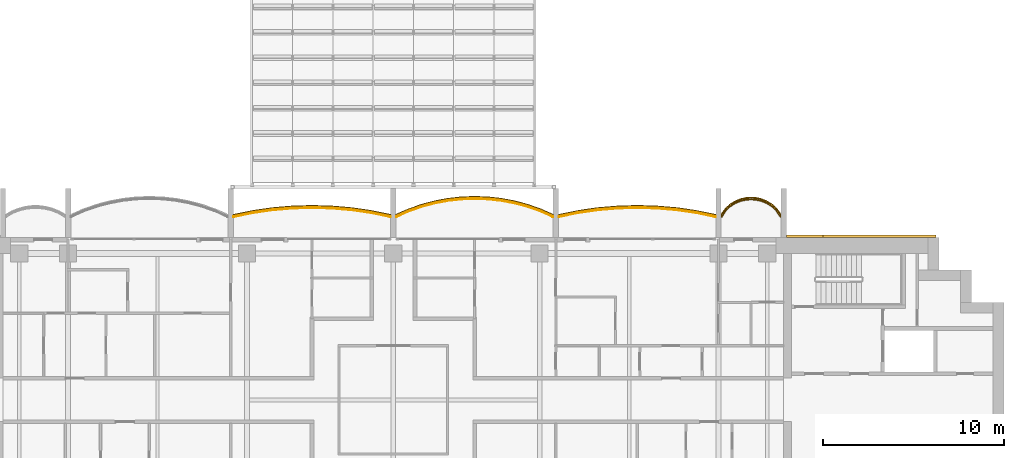
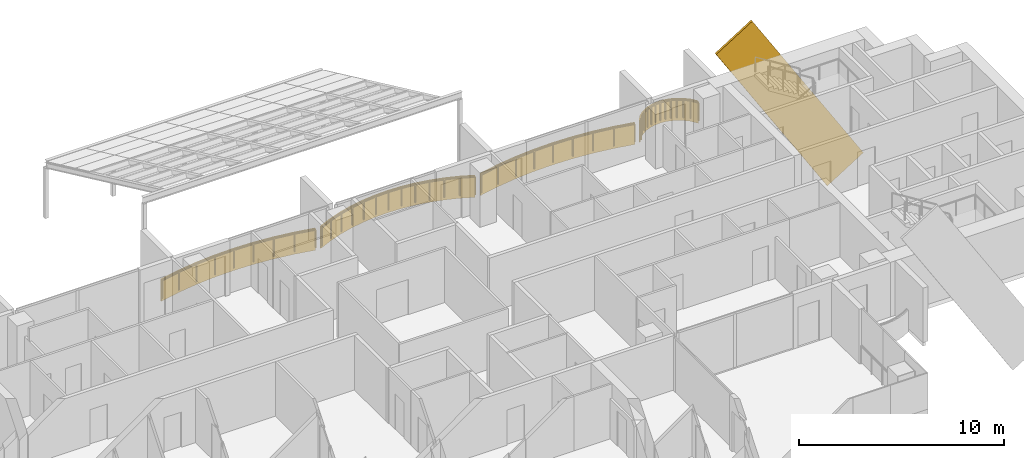
# One storey, part 20 of 20: 5 coverings, 4 railings.
"""IFC4 building model written with IfcOpenShell, lengths in metres."""

from ifc_helpers import new_model, si_unit, direction, frame, origin, origin_2d, place, context, subcontext, project, spatial, polyline, rectangle, outline, extrude, material, layer, layer_set, material_profile, profile_set, type_object, element, save


model = new_model("IFC4")

# Units and contexts
model_context = context("Model", 3, precision=1e-05, world=origin(), true_north=direction((0.0, 1.0)))
body_context = subcontext(model_context, "Body", "Model", "MODEL_VIEW")
ifc_project = project(units=[si_unit("LENGTHUNIT", "METRE"), si_unit("AREAUNIT", "SQUARE_METRE"), si_unit("VOLUMEUNIT", "CUBIC_METRE"), si_unit("PLANEANGLEUNIT", "RADIAN"), si_unit("MASSUNIT", "GRAM", prefix="KILO")], contexts=[model_context])

# Site, building, storey
site_placement = place(None, origin())
site = spatial("IfcSite", under=ifc_project, at=site_placement, CompositionType="ELEMENT")
building_placement = place(site_placement, origin())
building = spatial("IfcBuilding", under=site, at=building_placement, Name="Perihelion Cross Residences", CompositionType="ELEMENT")
storey_placement = place(building_placement, frame((0.0, 0.0, 170.10009765625)))
storey = spatial("IfcBuildingStorey", under=building, at=storey_placement, Name="L41", CompositionType="ELEMENT", Elevation=170.10009765625)

# Coverings
ifc_material_1 = material(Name="Bronze anodised aluminium", Category="aluminium")
ifc_layer = layer(ifc_material_1, 0.070068359375)
ifc_layer_set = layer_set([ifc_layer], Name="Balcony fascia 1300")
covering_type_1 = type_object("IfcCoveringType", Name="Balcony fascia 1300", PredefinedType="CLADDING", material=ifc_layer_set)
covering_1_placement = place(storey_placement, frame((0.0, 0.0, -0.2001953125)))
element("IfcCovering", 1, at=covering_1_placement, inside=storey, type_object=covering_type_1, Name="Fascia BF1 L41 east side north bay 1", PredefinedType="CLADDING", context=body_context, shape_type="SweptSolid", body=[
    extrude(outline(polyline([(21.226318359375, 10.616455078125), (20.94091796875, 10.86328125), (20.655517578125, 11.031494140625), (20.370361328125, 11.142578125), (20.085205078125, 11.206298828125), (19.800048828125, 11.22705078125), (19.514892578125, 11.206298828125), (19.229736328125, 11.142578125), (18.9443359375, 11.031494140625), (18.6591796875, 10.86328125), (18.373779296875, 10.616455078125), (18.14990234375, 10.31689453125), (18.14990234375, 10.199951171875), (18.425048828125, 10.568603515625), (18.699951171875, 10.806396484375), (18.97509765625, 10.96875), (19.25, 11.07568359375), (19.52490234375, 11.136962890625), (19.800048828125, 11.156982421875), (20.074951171875, 11.136962890625), (20.35009765625, 11.07568359375), (20.625, 10.96875), (20.89990234375, 10.806396484375), (21.175048828125, 10.568603515625), (21.449951171875, 10.199951171875), (21.449951171875, 10.31689453125), (21.226318359375, 10.616455078125)])), origin(), (0.0, 0.0, 1.0), 1.300048828125),
])
covering_2_placement = place(storey_placement, frame((0.0, 0.0, -0.2001953125)))
element("IfcCovering", 2, at=covering_2_placement, inside=storey, type_object=covering_type_1, Name="Fascia BF1 L41 east side north bay 2", PredefinedType="CLADDING", context=body_context, shape_type="SweptSolid", body=[
    extrude(outline(polyline([(16.7744140625, 10.4892578125), (15.682861328125, 10.645751953125), (14.591552734375, 10.739013671875), (13.5, 10.77001953125), (12.408447265625, 10.739013671875), (11.317138671875, 10.645751953125), (10.2255859375, 10.4892578125), (9.14990234375, 10.271484375), (9.14990234375, 10.199951171875), (10.237548828125, 10.42041015625), (11.324951171875, 10.576171875), (12.41259765625, 10.669189453125), (13.5, 10.699951171875), (14.58740234375, 10.669189453125), (15.675048828125, 10.576171875), (16.762451171875, 10.42041015625), (17.85009765625, 10.199951171875), (17.85009765625, 10.271484375), (16.7744140625, 10.4892578125)])), origin(), (0.0, 0.0, 1.0), 1.300048828125),
])
covering_3_placement = place(storey_placement, frame((0.0, 0.0, -0.2001953125)))
element("IfcCovering", 3, at=covering_3_placement, inside=storey, type_object=covering_type_1, Name="Fascia BF1 L41 north side east bay 1", PredefinedType="CLADDING", context=body_context, shape_type="SweptSolid", body=[
    extrude(outline(polyline([(8.150634765625, 10.582275390625), (7.42041015625, 10.83544921875), (6.690185546875, 11.028076171875), (5.960205078125, 11.1630859375), (5.22998046875, 11.243408203125), (4.5, 11.27001953125), (3.77001953125, 11.243408203125), (3.039794921875, 11.1630859375), (2.309814453125, 11.028076171875), (1.57958984375, 10.83544921875), (0.849365234375, 10.582275390625), (0.14990234375, 10.2763671875), (0.14990234375, 10.199951171875), (0.875, 10.51708984375), (1.60009765625, 10.7685546875), (2.324951171875, 10.959716796875), (3.050048828125, 11.093994140625), (3.77490234375, 11.173583984375), (4.5, 11.199951171875), (5.22509765625, 11.173583984375), (5.949951171875, 11.093994140625), (6.675048828125, 10.959716796875), (7.39990234375, 10.7685546875), (8.125, 10.51708984375), (8.85009765625, 10.199951171875), (8.85009765625, 10.2763671875), (8.150634765625, 10.582275390625)])), origin(), (0.0, 0.0, 1.0), 1.300048828125),
])
covering_4_placement = place(storey_placement, frame((0.0, 0.0, -0.2001953125)))
element("IfcCovering", 4, at=covering_4_placement, inside=storey, type_object=covering_type_1, Name="Fascia BF1 L41 north side east bay 2", PredefinedType="CLADDING", context=body_context, shape_type="SweptSolid", body=[
    extrude(outline(polyline([(-1.2255859375, 10.4892578125), (-2.317138671875, 10.645751953125), (-3.408447265625, 10.739013671875), (-4.5, 10.77001953125), (-5.591552734375, 10.739013671875), (-6.682861328125, 10.645751953125), (-7.7744140625, 10.4892578125), (-8.85009765625, 10.271484375), (-8.85009765625, 10.199951171875), (-7.762451171875, 10.42041015625), (-6.675048828125, 10.576171875), (-5.58740234375, 10.669189453125), (-4.5, 10.699951171875), (-3.41259765625, 10.669189453125), (-2.324951171875, 10.576171875), (-1.237548828125, 10.42041015625), (-0.14990234375, 10.199951171875), (-0.14990234375, 10.271484375), (-1.2255859375, 10.4892578125)])), origin(), (0.0, 0.0, 1.0), 1.300048828125),
])

# Railings
ifc_material_2 = material(Name="Bronze anodised aluminium", Category="aluminium")
railing_type = type_object("IfcRailingType", Name="Balcony guard 1100", PredefinedType="GUARDRAIL", material=ifc_material_2)
railing_1_placement = place(storey_placement, frame((21.425048828125, 10.139892578125, 0.0)))
element("IfcRailing", 5, at=railing_1_placement, inside=storey, type_object=railing_type, Name="Guard GU1 L41 east side north bay 1 balcony", PredefinedType="GUARDRAIL", context=body_context, shape_type="SweptSolid", body=[
    extrude(rectangle(XDim=0.048095703125, YDim=0.048095703125, at=origin_2d()), frame((0.0, 0.0, 1.076171875), z_axis=(-0.561260132269, 0.827639452857, 0.0), x_axis=(-0.827639452857, -0.561260132269, 0.0)), (0.0, 0.0, 1.0), 0.4453125),
    extrude(rectangle(XDim=0.048095703125, YDim=0.048095703125, at=origin_2d()), frame((-0.25, 0.36865234375, 1.076171875), z_axis=(-0.756596535164, 0.653882009982, 0.0), x_axis=(-0.653882009982, -0.756596535164, 0.0)), (0.0, 0.0, 1.0), 0.36376953125),
    extrude(rectangle(XDim=0.048095703125, YDim=0.048095703125, at=origin_2d()), frame((-0.525146484375, 0.6064453125, 1.076171875), z_axis=(-0.861048292884, 0.508523192511, 0.0), x_axis=(-0.508523192511, -0.861048292884, 0.0)), (0.0, 0.0, 1.0), 0.3193359375),
    extrude(rectangle(XDim=0.048095703125, YDim=0.048095703125, at=origin_2d()), frame((-0.800048828125, 0.768798828125, 1.076171875), z_axis=(-0.931973602183, 0.362526143656, 0.0), x_axis=(-0.362526143656, -0.931973602183, 0.0)), (0.0, 0.0, 1.0), 0.294921875),
    extrude(rectangle(XDim=0.048095703125, YDim=0.048095703125, at=origin_2d()), frame((-1.074951171875, 0.875732421875, 1.076171875), z_axis=(-0.976085059389, 0.21738895289, 0.0), x_axis=(-0.21738895289, -0.976085059389, 0.0)), (0.0, 0.0, 1.0), 0.281982421875),
    extrude(rectangle(XDim=0.048095703125, YDim=0.048095703125, at=origin_2d()), frame((-1.35009765625, 0.93701171875, 1.076171875), z_axis=(-0.997358821833, 0.072631814734, 0.0), x_axis=(-0.072631814734, -0.997358821833, 0.0)), (0.0, 0.0, 1.0), 0.275634765625),
    extrude(rectangle(XDim=0.048095703125, YDim=0.048095703125, at=origin_2d()), frame((-1.625, 0.95703125, 1.076171875), z_axis=(-0.997363488337, -0.072567707226, 0.0), x_axis=(0.072567707226, -0.997363488337, 0.0)), (0.0, 0.0, 1.0), 0.27587890625),
    extrude(rectangle(XDim=0.048095703125, YDim=0.048095703125, at=origin_2d()), frame((-1.900146484375, 0.93701171875, 1.076171875), z_axis=(-0.976044077717, -0.217572880557, 0.0), x_axis=(0.217572880557, -0.976044077717, 0.0)), (0.0, 0.0, 1.0), 0.28173828125),
    extrude(rectangle(XDim=0.048095703125, YDim=0.048095703125, at=origin_2d()), frame((-2.175048828125, 0.875732421875, 1.076171875), z_axis=(-0.931973602183, -0.362526143656, 0.0), x_axis=(0.362526143656, -0.931973602183, 0.0)), (0.0, 0.0, 1.0), 0.294921875),
    extrude(rectangle(XDim=0.048095703125, YDim=0.048095703125, at=origin_2d()), frame((-2.449951171875, 0.768798828125, 1.076171875), z_axis=(-0.861245845072, -0.508188542123, 0.0), x_axis=(0.508188542123, -0.861245845072, 0.0)), (0.0, 0.0, 1.0), 0.319580078125),
    extrude(rectangle(XDim=0.048095703125, YDim=0.048095703125, at=origin_2d()), frame((-2.72509765625, 0.6064453125, 1.076171875), z_axis=(-0.756309278473, -0.654214242658, 0.0), x_axis=(0.654214242658, -0.756309278473, 0.0)), (0.0, 0.0, 1.0), 0.363525390625),
    extrude(rectangle(XDim=0.048095703125, YDim=0.048095703125, at=origin_2d()), frame((-3.0, 0.36865234375, 1.076171875), z_axis=(-0.561260132269, -0.827639452857, 0.0), x_axis=(0.827639452857, -0.561260132269, 0.0)), (0.0, 0.0, 1.0), 0.4453125),
    extrude(rectangle(XDim=0.0419921875, YDim=0.0419921875, at=origin_2d()), origin(), (0.0, 0.0, 1.0), 1.052001953125),
    extrude(rectangle(XDim=0.0419921875, YDim=0.0419921875, at=origin_2d()), frame((-0.25, 0.36865234375, 0.0)), (0.0, 0.0, 1.0), 1.052001953125),
    extrude(rectangle(XDim=0.0419921875, YDim=0.0419921875, at=origin_2d()), frame((-0.525146484375, 0.6064453125, 0.0)), (0.0, 0.0, 1.0), 1.052001953125),
    extrude(rectangle(XDim=0.0419921875, YDim=0.0419921875, at=origin_2d()), frame((-0.800048828125, 0.768798828125, 0.0)), (0.0, 0.0, 1.0), 1.052001953125),
    extrude(rectangle(XDim=0.0419921875, YDim=0.0419921875, at=origin_2d()), frame((-1.074951171875, 0.875732421875, 0.0)), (0.0, 0.0, 1.0), 1.052001953125),
    extrude(rectangle(XDim=0.0419921875, YDim=0.0419921875, at=origin_2d()), frame((-1.35009765625, 0.93701171875, 0.0)), (0.0, 0.0, 1.0), 1.052001953125),
    extrude(rectangle(XDim=0.0419921875, YDim=0.0419921875, at=origin_2d()), frame((-1.625, 0.95703125, 0.0)), (0.0, 0.0, 1.0), 1.052001953125),
    extrude(rectangle(XDim=0.0419921875, YDim=0.0419921875, at=origin_2d()), frame((-1.900146484375, 0.93701171875, 0.0)), (0.0, 0.0, 1.0), 1.052001953125),
    extrude(rectangle(XDim=0.0419921875, YDim=0.0419921875, at=origin_2d()), frame((-2.175048828125, 0.875732421875, 0.0)), (0.0, 0.0, 1.0), 1.052001953125),
    extrude(rectangle(XDim=0.0419921875, YDim=0.0419921875, at=origin_2d()), frame((-2.449951171875, 0.768798828125, 0.0)), (0.0, 0.0, 1.0), 1.052001953125),
    extrude(rectangle(XDim=0.0419921875, YDim=0.0419921875, at=origin_2d()), frame((-2.72509765625, 0.6064453125, 0.0)), (0.0, 0.0, 1.0), 1.052001953125),
    extrude(rectangle(XDim=0.0419921875, YDim=0.0419921875, at=origin_2d()), frame((-3.0, 0.36865234375, 0.0)), (0.0, 0.0, 1.0), 1.052001953125),
    extrude(rectangle(XDim=0.0419921875, YDim=0.0419921875, at=origin_2d()), frame((-3.25, 0.0, 0.0)), (0.0, 0.0, 1.0), 1.052001953125),
])
railing_2_placement = place(storey_placement, frame((17.824951171875, 10.139892578125, 0.0)))
element("IfcRailing", 6, at=railing_2_placement, inside=storey, type_object=railing_type, Name="Guard GU1 L41 east side north bay 2 balcony", PredefinedType="GUARDRAIL", context=body_context, shape_type="SweptSolid", body=[
    extrude(rectangle(XDim=0.048095703125, YDim=0.048095703125, at=origin_2d()), frame((0.0, 0.0, 1.076171875), z_axis=(-0.979144816647, 0.203163549961, 0.0), x_axis=(-0.203163549961, -0.979144816647, 0.0)), (0.0, 0.0, 1.0), 1.085205078125),
    extrude(rectangle(XDim=0.048095703125, YDim=0.048095703125, at=origin_2d()), frame((-1.0625, 0.220458984375, 1.076171875), z_axis=(-0.98989608354, 0.141794724135, 0.0), x_axis=(-0.141794724135, -0.98989608354, 0.0)), (0.0, 0.0, 1.0), 1.098388671875),
    extrude(rectangle(XDim=0.048095703125, YDim=0.048095703125, at=origin_2d()), frame((-2.14990234375, 0.376220703125, 1.076171875), z_axis=(-0.996362942492, 0.085210837506, 0.0), x_axis=(-0.085210837506, -0.996362942492, 0.0)), (0.0, 0.0, 1.0), 1.091552734375),
    extrude(rectangle(XDim=0.048095703125, YDim=0.048095703125, at=origin_2d()), frame((-3.237548828125, 0.46923828125, 1.076171875), z_axis=(-0.999600101203, 0.028277865458, 0.0), x_axis=(-0.028277865458, -0.999600101203, 0.0)), (0.0, 0.0, 1.0), 1.087890625),
    extrude(rectangle(XDim=0.048095703125, YDim=0.048095703125, at=origin_2d()), frame((-4.324951171875, 0.5, 1.076171875), z_axis=(-0.999600101203, -0.028277865458, 0.0), x_axis=(0.028277865458, -0.999600101203, 0.0)), (0.0, 0.0, 1.0), 1.087890625),
    extrude(rectangle(XDim=0.048095703125, YDim=0.048095703125, at=origin_2d()), frame((-5.412353515625, 0.46923828125, 1.076171875), z_axis=(-0.996362942492, -0.085210837506, 0.0), x_axis=(0.085210837506, -0.996362942492, 0.0)), (0.0, 0.0, 1.0), 1.091552734375),
    extrude(rectangle(XDim=0.048095703125, YDim=0.048095703125, at=origin_2d()), frame((-6.5, 0.376220703125, 1.076171875), z_axis=(-0.98989608354, -0.141794724135, 0.0), x_axis=(0.141794724135, -0.98989608354, 0.0)), (0.0, 0.0, 1.0), 1.098388671875),
    extrude(rectangle(XDim=0.048095703125, YDim=0.048095703125, at=origin_2d()), frame((-7.58740234375, 0.220458984375, 1.076171875), z_axis=(-0.979144816647, -0.203163549961, 0.0), x_axis=(0.203163549961, -0.979144816647, 0.0)), (0.0, 0.0, 1.0), 1.085205078125),
    extrude(rectangle(XDim=0.0419921875, YDim=0.0419921875, at=origin_2d()), origin(), (0.0, 0.0, 1.0), 1.052001953125),
    extrude(rectangle(XDim=0.0419921875, YDim=0.0419921875, at=origin_2d()), frame((-1.0625, 0.220458984375, 0.0)), (0.0, 0.0, 1.0), 1.052001953125),
    extrude(rectangle(XDim=0.0419921875, YDim=0.0419921875, at=origin_2d()), frame((-2.14990234375, 0.376220703125, 0.0)), (0.0, 0.0, 1.0), 1.052001953125),
    extrude(rectangle(XDim=0.0419921875, YDim=0.0419921875, at=origin_2d()), frame((-3.237548828125, 0.46923828125, 0.0)), (0.0, 0.0, 1.0), 1.052001953125),
    extrude(rectangle(XDim=0.0419921875, YDim=0.0419921875, at=origin_2d()), frame((-4.324951171875, 0.5, 0.0)), (0.0, 0.0, 1.0), 1.052001953125),
    extrude(rectangle(XDim=0.0419921875, YDim=0.0419921875, at=origin_2d()), frame((-5.412353515625, 0.46923828125, 0.0)), (0.0, 0.0, 1.0), 1.052001953125),
    extrude(rectangle(XDim=0.0419921875, YDim=0.0419921875, at=origin_2d()), frame((-6.5, 0.376220703125, 0.0)), (0.0, 0.0, 1.0), 1.052001953125),
    extrude(rectangle(XDim=0.0419921875, YDim=0.0419921875, at=origin_2d()), frame((-7.58740234375, 0.220458984375, 0.0)), (0.0, 0.0, 1.0), 1.052001953125),
    extrude(rectangle(XDim=0.0419921875, YDim=0.0419921875, at=origin_2d()), frame((-8.64990234375, 0.0, 0.0)), (0.0, 0.0, 1.0), 1.052001953125),
])
railing_3_placement = place(storey_placement, frame((8.824951171875, 10.139892578125, 0.0)))
element("IfcRailing", 7, at=railing_3_placement, inside=storey, type_object=railing_type, Name="Guard GU1 L41 north side east bay 1 balcony", PredefinedType="GUARDRAIL", context=body_context, shape_type="SweptSolid", body=[
    extrude(rectangle(XDim=0.048095703125, YDim=0.048095703125, at=origin_2d()), frame((0.0, 0.0, 1.076171875), z_axis=(-0.910866309087, 0.412701547089, 0.0), x_axis=(-0.412701547089, -0.910866309087, 0.0)), (0.0, 0.0, 1.0), 0.7685546875),
    extrude(rectangle(XDim=0.048095703125, YDim=0.048095703125, at=origin_2d()), frame((-0.699951171875, 0.317138671875, 1.076171875), z_axis=(-0.944796812452, 0.327656807012, 0.0), x_axis=(-0.327656807012, -0.944796812452, 0.0)), (0.0, 0.0, 1.0), 0.767578125),
    extrude(rectangle(XDim=0.048095703125, YDim=0.048095703125, at=origin_2d()), frame((-1.425048828125, 0.568603515625, 1.076171875), z_axis=(-0.966939404945, 0.255006249266, 0.0), x_axis=(-0.255006249266, -0.966939404945, 0.0)), (0.0, 0.0, 1.0), 0.749755859375),
    extrude(rectangle(XDim=0.048095703125, YDim=0.048095703125, at=origin_2d()), frame((-2.14990234375, 0.759765625, 1.076171875), z_axis=(-0.983282004984, 0.182089260182, 0.0), x_axis=(-0.182089260182, -0.983282004984, 0.0)), (0.0, 0.0, 1.0), 0.7373046875),
    extrude(rectangle(XDim=0.048095703125, YDim=0.048095703125, at=origin_2d()), frame((-2.875, 0.89404296875, 1.076171875), z_axis=(-0.994025805622, 0.109145305703, 0.0), x_axis=(-0.109145305703, -0.994025805622, 0.0)), (0.0, 0.0, 1.0), 0.729248046875),
    extrude(rectangle(XDim=0.048095703125, YDim=0.048095703125, at=origin_2d()), frame((-3.599853515625, 0.9736328125, 1.076171875), z_axis=(-0.999339497946, 0.036339618107, 0.0), x_axis=(-0.036339618107, -0.999339497946, 0.0)), (0.0, 0.0, 1.0), 0.7255859375),
    extrude(rectangle(XDim=0.048095703125, YDim=0.048095703125, at=origin_2d()), frame((-4.324951171875, 1.0, 1.076171875), z_axis=(-0.999339497946, -0.036339618107, 0.0), x_axis=(0.036339618107, -0.999339497946, 0.0)), (0.0, 0.0, 1.0), 0.7255859375),
    extrude(rectangle(XDim=0.048095703125, YDim=0.048095703125, at=origin_2d()), frame((-5.050048828125, 0.9736328125, 1.076171875), z_axis=(-0.994025805622, -0.109145305703, 0.0), x_axis=(0.109145305703, -0.994025805622, 0.0)), (0.0, 0.0, 1.0), 0.729248046875),
    extrude(rectangle(XDim=0.048095703125, YDim=0.048095703125, at=origin_2d()), frame((-5.77490234375, 0.89404296875, 1.076171875), z_axis=(-0.983282004984, -0.182089260182, 0.0), x_axis=(0.182089260182, -0.983282004984, 0.0)), (0.0, 0.0, 1.0), 0.7373046875),
    extrude(rectangle(XDim=0.048095703125, YDim=0.048095703125, at=origin_2d()), frame((-6.5, 0.759765625, 1.076171875), z_axis=(-0.966939404945, -0.255006249266, 0.0), x_axis=(0.255006249266, -0.966939404945, 0.0)), (0.0, 0.0, 1.0), 0.749755859375),
    extrude(rectangle(XDim=0.048095703125, YDim=0.048095703125, at=origin_2d()), frame((-7.224853515625, 0.568603515625, 1.076171875), z_axis=(-0.944796812452, -0.327656807012, 0.0), x_axis=(0.327656807012, -0.944796812452, 0.0)), (0.0, 0.0, 1.0), 0.767578125),
    extrude(rectangle(XDim=0.048095703125, YDim=0.048095703125, at=origin_2d()), frame((-7.949951171875, 0.317138671875, 1.076171875), z_axis=(-0.910866309087, -0.412701547089, 0.0), x_axis=(0.412701547089, -0.910866309087, 0.0)), (0.0, 0.0, 1.0), 0.7685546875),
    extrude(rectangle(XDim=0.0419921875, YDim=0.0419921875, at=origin_2d()), origin(), (0.0, 0.0, 1.0), 1.052001953125),
    extrude(rectangle(XDim=0.0419921875, YDim=0.0419921875, at=origin_2d()), frame((-0.699951171875, 0.317138671875, 0.0)), (0.0, 0.0, 1.0), 1.052001953125),
    extrude(rectangle(XDim=0.0419921875, YDim=0.0419921875, at=origin_2d()), frame((-1.425048828125, 0.568603515625, 0.0)), (0.0, 0.0, 1.0), 1.052001953125),
    extrude(rectangle(XDim=0.0419921875, YDim=0.0419921875, at=origin_2d()), frame((-2.14990234375, 0.759765625, 0.0)), (0.0, 0.0, 1.0), 1.052001953125),
    extrude(rectangle(XDim=0.0419921875, YDim=0.0419921875, at=origin_2d()), frame((-2.875, 0.89404296875, 0.0)), (0.0, 0.0, 1.0), 1.052001953125),
    extrude(rectangle(XDim=0.0419921875, YDim=0.0419921875, at=origin_2d()), frame((-3.599853515625, 0.9736328125, 0.0)), (0.0, 0.0, 1.0), 1.052001953125),
    extrude(rectangle(XDim=0.0419921875, YDim=0.0419921875, at=origin_2d()), frame((-4.324951171875, 1.0, 0.0)), (0.0, 0.0, 1.0), 1.052001953125),
    extrude(rectangle(XDim=0.0419921875, YDim=0.0419921875, at=origin_2d()), frame((-5.050048828125, 0.9736328125, 0.0)), (0.0, 0.0, 1.0), 1.052001953125),
    extrude(rectangle(XDim=0.0419921875, YDim=0.0419921875, at=origin_2d()), frame((-5.77490234375, 0.89404296875, 0.0)), (0.0, 0.0, 1.0), 1.052001953125),
    extrude(rectangle(XDim=0.0419921875, YDim=0.0419921875, at=origin_2d()), frame((-6.5, 0.759765625, 0.0)), (0.0, 0.0, 1.0), 1.052001953125),
    extrude(rectangle(XDim=0.0419921875, YDim=0.0419921875, at=origin_2d()), frame((-7.224853515625, 0.568603515625, 0.0)), (0.0, 0.0, 1.0), 1.052001953125),
    extrude(rectangle(XDim=0.0419921875, YDim=0.0419921875, at=origin_2d()), frame((-7.949951171875, 0.317138671875, 0.0)), (0.0, 0.0, 1.0), 1.052001953125),
    extrude(rectangle(XDim=0.0419921875, YDim=0.0419921875, at=origin_2d()), frame((-8.64990234375, 0.0, 0.0)), (0.0, 0.0, 1.0), 1.052001953125),
])
railing_4_placement = place(storey_placement, frame((-0.175048828125, 10.139892578125, 0.0)))
element("IfcRailing", 8, at=railing_4_placement, inside=storey, type_object=railing_type, Name="Guard GU1 L41 north side east bay 2 balcony", PredefinedType="GUARDRAIL", context=body_context, shape_type="SweptSolid", body=[
    extrude(rectangle(XDim=0.048095703125, YDim=0.048095703125, at=origin_2d()), frame((0.0, 0.0, 1.076171875), z_axis=(-0.979144816647, 0.203163549961, 0.0), x_axis=(-0.203163549961, -0.979144816647, 0.0)), (0.0, 0.0, 1.0), 1.085205078125),
    extrude(rectangle(XDim=0.048095703125, YDim=0.048095703125, at=origin_2d()), frame((-1.0625, 0.220458984375, 1.076171875), z_axis=(-0.98989608354, 0.141794724135, 0.0), x_axis=(-0.141794724135, -0.98989608354, 0.0)), (0.0, 0.0, 1.0), 1.098388671875),
    extrude(rectangle(XDim=0.048095703125, YDim=0.048095703125, at=origin_2d()), frame((-2.14990234375, 0.376220703125, 1.076171875), z_axis=(-0.996362942492, 0.085210837506, 0.0), x_axis=(-0.085210837506, -0.996362942492, 0.0)), (0.0, 0.0, 1.0), 1.091552734375),
    extrude(rectangle(XDim=0.048095703125, YDim=0.048095703125, at=origin_2d()), frame((-3.237548828125, 0.46923828125, 1.076171875), z_axis=(-0.999600101203, 0.028277865458, 0.0), x_axis=(-0.028277865458, -0.999600101203, 0.0)), (0.0, 0.0, 1.0), 1.087890625),
    extrude(rectangle(XDim=0.048095703125, YDim=0.048095703125, at=origin_2d()), frame((-4.324951171875, 0.5, 1.076171875), z_axis=(-0.999600101203, -0.028277865458, 0.0), x_axis=(0.028277865458, -0.999600101203, 0.0)), (0.0, 0.0, 1.0), 1.087890625),
    extrude(rectangle(XDim=0.048095703125, YDim=0.048095703125, at=origin_2d()), frame((-5.412353515625, 0.46923828125, 1.076171875), z_axis=(-0.996362942492, -0.085210837506, 0.0), x_axis=(0.085210837506, -0.996362942492, 0.0)), (0.0, 0.0, 1.0), 1.091552734375),
    extrude(rectangle(XDim=0.048095703125, YDim=0.048095703125, at=origin_2d()), frame((-6.5, 0.376220703125, 1.076171875), z_axis=(-0.98989608354, -0.141794724135, 0.0), x_axis=(0.141794724135, -0.98989608354, 0.0)), (0.0, 0.0, 1.0), 1.098388671875),
    extrude(rectangle(XDim=0.048095703125, YDim=0.048095703125, at=origin_2d()), frame((-7.58740234375, 0.220458984375, 1.076171875), z_axis=(-0.979144816647, -0.203163549961, 0.0), x_axis=(0.203163549961, -0.979144816647, 0.0)), (0.0, 0.0, 1.0), 1.085205078125),
    extrude(rectangle(XDim=0.0419921875, YDim=0.0419921875, at=origin_2d()), origin(), (0.0, 0.0, 1.0), 1.052001953125),
    extrude(rectangle(XDim=0.0419921875, YDim=0.0419921875, at=origin_2d()), frame((-1.0625, 0.220458984375, 0.0)), (0.0, 0.0, 1.0), 1.052001953125),
    extrude(rectangle(XDim=0.0419921875, YDim=0.0419921875, at=origin_2d()), frame((-2.14990234375, 0.376220703125, 0.0)), (0.0, 0.0, 1.0), 1.052001953125),
    extrude(rectangle(XDim=0.0419921875, YDim=0.0419921875, at=origin_2d()), frame((-3.237548828125, 0.46923828125, 0.0)), (0.0, 0.0, 1.0), 1.052001953125),
    extrude(rectangle(XDim=0.0419921875, YDim=0.0419921875, at=origin_2d()), frame((-4.324951171875, 0.5, 0.0)), (0.0, 0.0, 1.0), 1.052001953125),
    extrude(rectangle(XDim=0.0419921875, YDim=0.0419921875, at=origin_2d()), frame((-5.412353515625, 0.46923828125, 0.0)), (0.0, 0.0, 1.0), 1.052001953125),
    extrude(rectangle(XDim=0.0419921875, YDim=0.0419921875, at=origin_2d()), frame((-6.5, 0.376220703125, 0.0)), (0.0, 0.0, 1.0), 1.052001953125),
    extrude(rectangle(XDim=0.0419921875, YDim=0.0419921875, at=origin_2d()), frame((-7.58740234375, 0.220458984375, 0.0)), (0.0, 0.0, 1.0), 1.052001953125),
    extrude(rectangle(XDim=0.0419921875, YDim=0.0419921875, at=origin_2d()), frame((-8.64990234375, 0.0, 0.0)), (0.0, 0.0, 1.0), 1.052001953125),
])

# Covering
ifc_material_3 = material(Name="Bronze anodised aluminium", Category="aluminium")
ifc_material_profile = material_profile(ifc_material_3, rectangle(XDim=0.125, YDim=2.39990234375, at=origin_2d()), Name="Bronze cladding band 2400")
ifc_profile_set = profile_set([ifc_material_profile], Name="Bronze anodised aluminium")
covering_type_2 = type_object("IfcCoveringType", Name="Bronze cladding band 2400", PredefinedType="CLADDING", material=ifc_profile_set)
covering_5_placement = place(storey_placement, frame((29.0322265625, 9.0625, -4.863525390625), z_axis=(-0.529915403603, 0.0, 0.848050508534), x_axis=(0.0, -1.0, 0.0)))
element("IfcCovering", 9, at=covering_5_placement, inside=storey, type_object=covering_type_2, Name="Core cladding band, east core", PredefinedType="CLADDING", context=body_context, shape_type="SweptSolid", body=[
    extrude(rectangle(XDim=0.125, YDim=2.39990234375, at=origin_2d()), origin(), (0.0, 0.0, 1.0), 11.822021484375),
])

save(model, "model.ifc")
